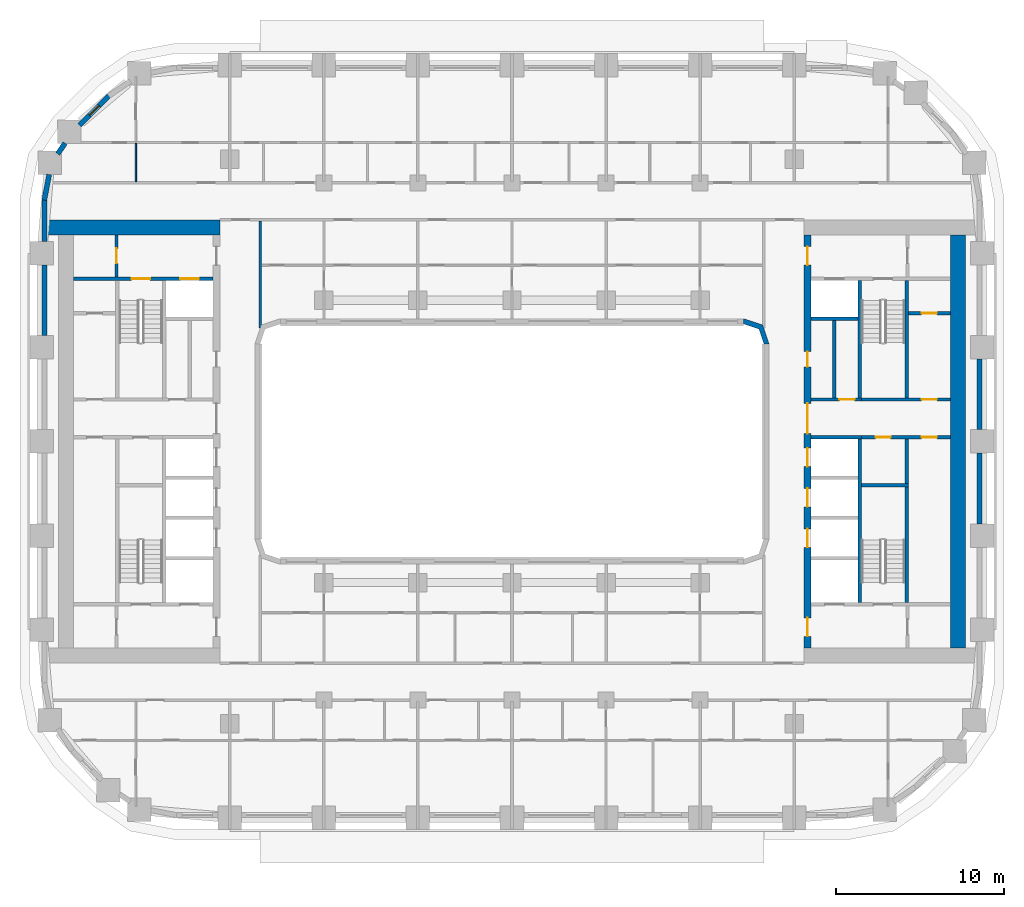
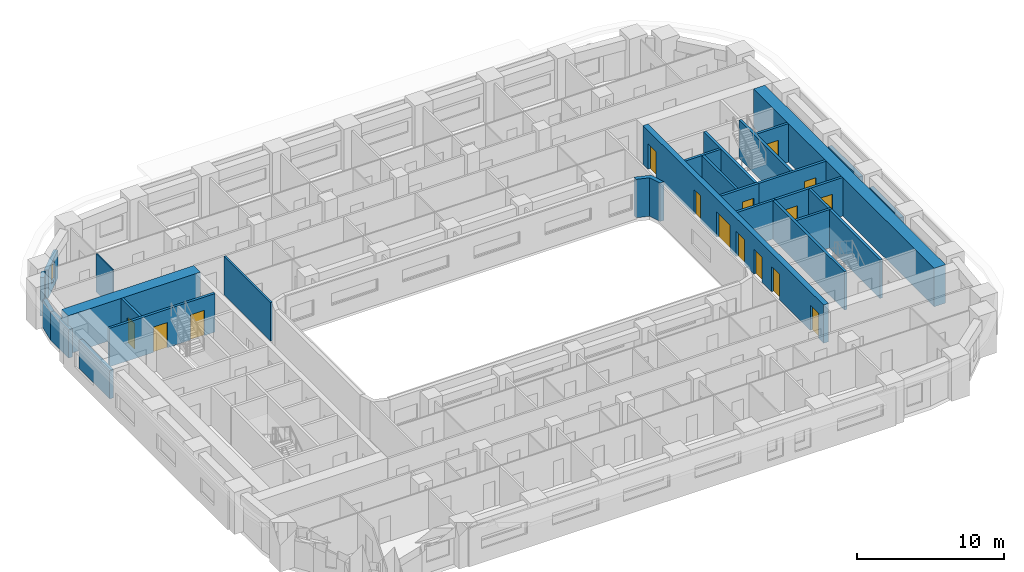
# One storey, part 7 of 22: 28 walls, 15 doors, 1 window, 16 openings.
"""IFC4 building model written with IfcOpenShell, lengths in metres."""

from ifc_helpers import new_model, si_unit, direction, frame, frame_2d, origin, place, context, subcontext, project, spatial, polyline, rectangle, outline, extrude, material, layer, layer_set, type_object, element, fill, save


model = new_model("IFC4")

# Units and contexts
model_context = context("Model", 3, precision=1e-05, world=origin(), true_north=direction((0.0, 1.0)))
body_context = subcontext(model_context, "Body", "Model", "MODEL_VIEW")
ifc_project = project(units=[si_unit("LENGTHUNIT", "METRE"), si_unit("AREAUNIT", "SQUARE_METRE"), si_unit("VOLUMEUNIT", "CUBIC_METRE"), si_unit("PLANEANGLEUNIT", "RADIAN"), si_unit("MASSUNIT", "GRAM", prefix="KILO")], contexts=[model_context])

# Site, building, storey
site_placement = place(None, origin())
site = spatial("IfcSite", under=ifc_project, at=site_placement, CompositionType="ELEMENT")
building_placement = place(site_placement, origin())
building = spatial("IfcBuilding", under=site, at=building_placement, Name="Kiln Ring Residences", CompositionType="ELEMENT")
storey_placement = place(building_placement, frame((0.0, 0.0, 62.0)))
storey = spatial("IfcBuildingStorey", under=building, at=storey_placement, Name="L15", CompositionType="ELEMENT", Elevation=62.0)

# Wall, opening, door
ifc_material_1 = material(Name="Gypsum board on steel studs", Category="steel")
ifc_layer_1 = layer(ifc_material_1, 0.199951171875)
ifc_layer_set_1 = layer_set([ifc_layer_1], Name="CORE-PARTITION-200")
wall_type_1 = type_object("IfcWallType", Name="CORE-PARTITION-200", PredefinedType="PARTITIONING", material=ifc_layer_set_1)
wall_1_placement = place(storey_placement, frame((-23.550048828125, 9.800048828125, 0.0), z_axis=(0.0, 0.0, 1.0), x_axis=(0.0, 1.0, 0.0)))
wall_1 = element("IfcWall", 1, at=wall_1_placement, inside=storey, type_object=wall_type_1, Name="Core partition west L15 4", PredefinedType="PARTITIONING", context=body_context, shape_type="SweptSolid", body=[
    extrude(rectangle(XDim=2.5, YDim=0.199951171875, at=frame_2d((1.25, 0.0))), origin(), (0.0, 0.0, 1.0), 3.199951171875),
])
opening_1_placement = place(wall_1_placement, frame((0.800048828125, 0.0, 0.0)))
opening_1 = element("IfcOpeningElement", 2, at=opening_1_placement, cuts=wall_1, Name="Opening L15-CW10", PredefinedType="OPENING", context=body_context, shape_type="SweptSolid", body=[
    extrude(rectangle(XDim=0.89990234375, YDim=2.10009765625, at=frame_2d((0.449951171875, 1.050048828125))), frame((0.0, 0.10986328125, 0.0), z_axis=(0.0, -1.0, 0.0), x_axis=(1.0, 0.0, 0.0)), (0.0, 0.0, 1.0), 0.219970703125),
])
ifc_material_2 = material(Name="Steel door leaf", Category="steel")
door_type_1 = type_object("IfcDoorType", Name="CORE-DOOR-ROOM", OperationType="SINGLE_SWING_LEFT", PredefinedType="DOOR", material=ifc_material_2)
door_1_placement = place(opening_1_placement, origin())
door_1 = element("IfcDoor", 3, at=door_1_placement, inside=storey, type_object=door_type_1, Name="Fire riser room L15-CW10", OperationType="SINGLE_SWING_RIGHT", OverallHeight=2.10009765625, OverallWidth=0.89990234375, PredefinedType="DOOR", context=body_context, shape_type="SweptSolid", body=[
    extrude(rectangle(XDim=0.89990234375, YDim=2.10009765625, at=frame_2d((0.449951171875, 1.050048828125))), frame((0.0, 0.02490234375, 0.0), z_axis=(0.0, -1.0, 0.0), x_axis=(1.0, 0.0, 0.0)), (0.0, 0.0, 1.0), 0.050048828125),
])
fill(opening_1, door_1)

# Wall
wall_2_placement = place(storey_placement, frame((23.5, -2.5, 0.0), z_axis=(0.0, 0.0, 1.0), x_axis=(0.0, 1.0, 0.0)))
element("IfcWall", 4, at=wall_2_placement, inside=storey, type_object=wall_type_1, Name="Core partition east L15 1", PredefinedType="PARTITIONING", context=body_context, shape_type="SweptSolid", body=[
    extrude(rectangle(XDim=2.64990234375, YDim=0.199951171875, at=frame_2d((1.324951171875, 0.0))), origin(), (0.0, 0.0, 1.0), 3.199951171875),
])

# Wall, openings, doors
wall_3_placement = place(storey_placement, frame((20.800048828125, 0.25, 0.0), z_axis=(0.0, 0.0, 1.0), x_axis=(1.0, 0.0, 0.0)))
wall_3 = element("IfcWall", 5, at=wall_3_placement, inside=storey, type_object=wall_type_1, Name="Core partition east L15 2", PredefinedType="PARTITIONING", context=body_context, shape_type="SweptSolid", body=[
    extrude(rectangle(XDim=5.300048828125, YDim=0.199951171875, at=frame_2d((2.64990234375, 0.0))), origin(), (0.0, 0.0, 1.0), 3.199951171875),
])
opening_2_placement = place(wall_3_placement, frame((0.85009765625, 0.0, 0.0)))
opening_2 = element("IfcOpeningElement", 6, at=opening_2_placement, cuts=wall_3, Name="Opening L15-CE15", PredefinedType="OPENING", context=body_context, shape_type="SweptSolid", body=[
    extrude(rectangle(XDim=0.89990234375, YDim=2.10009765625, at=frame_2d((0.449951171875, 1.050048828125))), frame((0.0, 0.10986328125, 0.0), z_axis=(0.0, -1.0, 0.0), x_axis=(1.0, 0.0, 0.0)), (0.0, 0.0, 1.0), 0.219970703125),
])
opening_3_placement = place(wall_3_placement, frame((3.60009765625, 0.0, 0.0)))
opening_3 = element("IfcOpeningElement", 7, at=opening_3_placement, cuts=wall_3, Name="Opening L15-CE16", PredefinedType="OPENING", context=body_context, shape_type="SweptSolid", body=[
    extrude(rectangle(XDim=0.89990234375, YDim=2.10009765625, at=frame_2d((0.449951171875, 1.050048828125))), frame((0.0, 0.10986328125, 0.0), z_axis=(0.0, -1.0, 0.0), x_axis=(1.0, 0.0, 0.0)), (0.0, 0.0, 1.0), 0.219970703125),
])
door_2_placement = place(opening_2_placement, origin())
door_2 = element("IfcDoor", 8, at=door_2_placement, inside=storey, type_object=door_type_1, Name="Refuse and recycling room L15-CE15", OperationType="SINGLE_SWING_RIGHT", OverallHeight=2.10009765625, OverallWidth=0.89990234375, PredefinedType="DOOR", context=body_context, shape_type="SweptSolid", body=[
    extrude(rectangle(XDim=0.89990234375, YDim=2.10009765625, at=frame_2d((0.449951171875, 1.050048828125))), frame((0.0, 0.02490234375, 0.0), z_axis=(0.0, -1.0, 0.0), x_axis=(1.0, 0.0, 0.0)), (0.0, 0.0, 1.0), 0.050048828125),
])
fill(opening_2, door_2)
door_3_placement = place(opening_3_placement, origin())
door_3 = element("IfcDoor", 9, at=door_3_placement, inside=storey, type_object=door_type_1, Name="Water tank room L15-CE16", OperationType="SINGLE_SWING_LEFT", OverallHeight=2.10009765625, OverallWidth=0.89990234375, PredefinedType="DOOR", context=body_context, shape_type="SweptSolid", body=[
    extrude(rectangle(XDim=0.89990234375, YDim=2.10009765625, at=frame_2d((0.449951171875, 1.050048828125))), frame((0.0, 0.02490234375, 0.0), z_axis=(0.0, -1.0, 0.0), x_axis=(1.0, 0.0, 0.0)), (0.0, 0.0, 1.0), 0.050048828125),
])
fill(opening_3, door_3)

# Wall
wall_4_placement = place(storey_placement, frame((19.199951171875, 2.60009765625, 0.0), z_axis=(0.0, 0.0, 1.0), x_axis=(0.0, 1.0, 0.0)))
element("IfcWall", 10, at=wall_4_placement, inside=storey, type_object=wall_type_1, Name="Core partition east L15 3", PredefinedType="PARTITIONING", context=body_context, shape_type="SweptSolid", body=[
    extrude(rectangle(XDim=4.599853515625, YDim=0.199951171875, at=frame_2d((2.2998046875, 0.0))), origin(), (0.0, 0.0, 1.0), 3.199951171875),
])

# Wall, opening, door
wall_5_placement = place(storey_placement, frame((23.60009765625, 7.639892578125, 0.0), z_axis=(0.0, 0.0, 1.0), x_axis=(1.0, 0.0, 0.0)))
wall_5 = element("IfcWall", 11, at=wall_5_placement, inside=storey, type_object=wall_type_1, Name="Core partition east L15 6", PredefinedType="PARTITIONING", context=body_context, shape_type="SweptSolid", body=[
    extrude(rectangle(XDim=2.5, YDim=0.199951171875, at=frame_2d((1.25, 0.0))), origin(), (0.0, 0.0, 1.0), 3.199951171875),
])
opening_4_placement = place(wall_5_placement, frame((0.800048828125, 0.0, 0.0)))
opening_4 = element("IfcOpeningElement", 12, at=opening_4_placement, cuts=wall_5, Name="Opening L15-CE17", PredefinedType="OPENING", context=body_context, shape_type="SweptSolid", body=[
    extrude(rectangle(XDim=0.89990234375, YDim=2.10009765625, at=frame_2d((0.449951171875, 1.050048828125))), frame((0.0, 0.10986328125, 0.0), z_axis=(0.0, -1.0, 0.0), x_axis=(1.0, 0.0, 0.0)), (0.0, 0.0, 1.0), 0.219970703125),
])
door_4_placement = place(opening_4_placement, origin())
door_4 = element("IfcDoor", 13, at=door_4_placement, inside=storey, type_object=door_type_1, Name="UPS room L15-CE17", OperationType="SINGLE_SWING_LEFT", OverallHeight=2.10009765625, OverallWidth=0.89990234375, PredefinedType="DOOR", context=body_context, shape_type="SweptSolid", body=[
    extrude(rectangle(XDim=0.89990234375, YDim=2.10009765625, at=frame_2d((0.449951171875, 1.050048828125))), frame((0.0, 0.02490234375, 0.0), z_axis=(0.0, -1.0, 0.0), x_axis=(1.0, 0.0, 0.0)), (0.0, 0.0, 1.0), 0.050048828125),
])
fill(opening_4, door_4)

# Wall
ifc_material_3 = material(Name="Gypsum shaft wall system")
ifc_layer_2 = layer(ifc_material_3, 0.199951171875)
ifc_layer_set_2 = layer_set([ifc_layer_2], Name="CORE-SHAFT-WALL-200")
wall_type_2 = type_object("IfcWallType", Name="CORE-SHAFT-WALL-200", PredefinedType="PARTITIONING", material=ifc_layer_set_2)
wall_6_placement = place(storey_placement, frame((17.800048828125, 0.25, 0.0), z_axis=(0.0, 0.0, 1.0), x_axis=(1.0, 0.0, 0.0)))
element("IfcWall", 14, at=wall_6_placement, inside=storey, type_object=wall_type_2, Name="Core partition east L15 10", PredefinedType="PARTITIONING", context=body_context, shape_type="SweptSolid", body=[
    extrude(rectangle(XDim=3.0, YDim=0.199951171875, at=frame_2d((1.5, 0.0))), origin(), (0.0, 0.0, 1.0), 3.199951171875),
])

# Wall, opening, door
wall_7_placement = place(storey_placement, frame((17.800048828125, 2.5, 0.0), z_axis=(0.0, 0.0, 1.0), x_axis=(1.0, 0.0, 0.0)))
wall_7 = element("IfcWall", 15, at=wall_7_placement, inside=storey, type_object=wall_type_2, Name="Core partition east L15 11", PredefinedType="PARTITIONING", context=body_context, shape_type="SweptSolid", body=[
    extrude(rectangle(XDim=3.0, YDim=0.199951171875, at=frame_2d((1.5, 0.0))), origin(), (0.0, 0.0, 1.0), 3.199951171875),
])
opening_5_placement = place(wall_7_placement, frame((1.699951171875, 0.0, 0.0)))
opening_5 = element("IfcOpeningElement", 16, at=opening_5_placement, cuts=wall_7, Name="Opening L15-CE06", PredefinedType="OPENING", context=body_context, shape_type="SweptSolid", body=[
    extrude(rectangle(XDim=0.89990234375, YDim=2.10009765625, at=frame_2d((0.449951171875, 1.050048828125))), frame((0.0, 0.10986328125, 0.0), z_axis=(0.0, -1.0, 0.0), x_axis=(1.0, 0.0, 0.0)), (0.0, 0.0, 1.0), 0.219970703125),
])
door_5_placement = place(opening_5_placement, origin())
door_5 = element("IfcDoor", 17, at=door_5_placement, inside=storey, type_object=door_type_1, Name="Service store L15-CE06", OperationType="SINGLE_SWING_RIGHT", OverallHeight=2.10009765625, OverallWidth=0.89990234375, PredefinedType="DOOR", context=body_context, shape_type="SweptSolid", body=[
    extrude(rectangle(XDim=0.89990234375, YDim=2.10009765625, at=frame_2d((0.449951171875, 1.050048828125))), frame((0.0, 0.02490234375, 0.0), z_axis=(0.0, -1.0, 0.0), x_axis=(1.0, 0.0, 0.0)), (0.0, 0.0, 1.0), 0.050048828125),
])
fill(opening_5, door_5)

# Wall
wall_8_placement = place(storey_placement, frame((17.800048828125, 7.300048828125, 0.0), z_axis=(0.0, 0.0, 1.0), x_axis=(1.0, 0.0, 0.0)))
element("IfcWall", 18, at=wall_8_placement, inside=storey, type_object=wall_type_2, Name="Core partition east L15 12", PredefinedType="PARTITIONING", context=body_context, shape_type="SweptSolid", body=[
    extrude(rectangle(XDim=2.800048828125, YDim=0.199951171875, at=frame_2d((1.39990234375, 0.0))), origin(), (0.0, 0.0, 1.0), 3.199951171875),
])

# Wall, openings, doors
ifc_material_4 = material(Name="Concrete C40/50", Category="concrete")
ifc_layer_3 = layer(ifc_material_4, 0.199951171875)
ifc_layer_set_3 = layer_set([ifc_layer_3], Name="CORE-WALL-RC200")
wall_type_3 = type_object("IfcWallType", Name="CORE-WALL-RC200", PredefinedType="SHEAR", material=ifc_layer_set_3)
wall_9_placement = place(storey_placement, frame((-17.800048828125, 9.699951171875, 0.0), z_axis=(0.0, 0.0, 1.0), x_axis=(-1.0, 0.0, 0.0)))
wall_9 = element("IfcWall", 19, at=wall_9_placement, inside=storey, type_object=wall_type_3, Name="Core wall west L15 9", PredefinedType="SHEAR", context=body_context, shape_type="SweptSolid", body=[
    extrude(rectangle(XDim=8.300048828125, YDim=0.199951171875, at=frame_2d((4.14990234375, 0.0))), origin(), (0.0, 0.0, 1.0), 3.199951171875),
])
opening_6_placement = place(wall_9_placement, frame((0.85009765625, 0.0, 0.0)))
opening_6 = element("IfcOpeningElement", 20, at=opening_6_placement, cuts=wall_9, Name="Opening L15-CW07", PredefinedType="OPENING", context=body_context, shape_type="SweptSolid", body=[
    extrude(rectangle(XDim=1.10009765625, YDim=2.10009765625, at=frame_2d((0.550048828125, 1.050048828125))), frame((0.0, 0.10986328125, 0.0), z_axis=(0.0, -1.0, 0.0), x_axis=(1.0, 0.0, 0.0)), (0.0, 0.0, 1.0), 0.219970703125),
])
opening_7_placement = place(wall_9_placement, frame((3.75, 0.0, 0.0)))
opening_7 = element("IfcOpeningElement", 21, at=opening_7_placement, cuts=wall_9, Name="Opening L15-CW12", PredefinedType="OPENING", context=body_context, shape_type="SweptSolid", body=[
    extrude(rectangle(XDim=1.10009765625, YDim=2.10009765625, at=frame_2d((0.550048828125, 1.050048828125))), frame((0.0, 0.10986328125, 0.0), z_axis=(0.0, -1.0, 0.0), x_axis=(1.0, 0.0, 0.0)), (0.0, 0.0, 1.0), 0.219970703125),
])
ifc_material_5 = material(Name="Steel door leaf", Category="steel")
door_type_2 = type_object("IfcDoorType", Name="CORE-DOOR-LD", OperationType="DOUBLE_DOOR_SLIDING", PredefinedType="DOOR", material=ifc_material_5)
door_6_placement = place(opening_6_placement, origin())
door_6 = element("IfcDoor", 22, at=door_6_placement, inside=storey, type_object=door_type_2, Name="LD W-FF L15-CW07", OperationType="DOUBLE_DOOR_SLIDING", OverallHeight=2.10009765625, OverallWidth=1.10009765625, PredefinedType="DOOR", context=body_context, shape_type="SweptSolid", body=[
    extrude(rectangle(XDim=1.10009765625, YDim=2.10009765625, at=frame_2d((0.550048828125, 1.050048828125))), frame((0.0, 0.02490234375, 0.0), z_axis=(0.0, -1.0, 0.0), x_axis=(1.0, 0.0, 0.0)), (0.0, 0.0, 1.0), 0.050048828125),
])
fill(opening_6, door_6)
ifc_material_6 = material(Name="Steel door leaf", Category="steel")
door_type_3 = type_object("IfcDoorType", Name="CORE-DOOR-STAIR", OperationType="SINGLE_SWING_LEFT", PredefinedType="DOOR", material=ifc_material_6)
door_7_placement = place(opening_7_placement, origin())
door_7 = element("IfcDoor", 23, at=door_7_placement, inside=storey, type_object=door_type_3, Name="Stair W-STN L15-CW12", OperationType="SINGLE_SWING_RIGHT", OverallHeight=2.10009765625, OverallWidth=1.10009765625, PredefinedType="DOOR", context=body_context, shape_type="SweptSolid", body=[
    extrude(rectangle(XDim=1.10009765625, YDim=2.10009765625, at=frame_2d((0.550048828125, 1.050048828125))), frame((0.0, 0.02490234375, 0.0), z_axis=(0.0, -1.0, 0.0), x_axis=(1.0, 0.0, 0.0)), (0.0, 0.0, 1.0), 0.050048828125),
])
fill(opening_7, door_7)

# Walls
wall_10_placement = place(storey_placement, frame((20.699951171875, 2.60009765625, 0.0), z_axis=(0.0, 0.0, 1.0), x_axis=(0.0, 1.0, 0.0)))
element("IfcWall", 24, at=wall_10_placement, inside=storey, type_object=wall_type_3, Name="Core wall east L15 1", PredefinedType="SHEAR", context=body_context, shape_type="SweptSolid", body=[
    extrude(rectangle(XDim=7.0, YDim=0.199951171875, at=frame_2d((3.5, 0.0))), origin(), (0.0, 0.0, 1.0), 3.199951171875),
])
wall_11_placement = place(storey_placement, frame((20.699951171875, -9.60009765625, 0.0), z_axis=(0.0, 0.0, 1.0), x_axis=(0.0, 1.0, 0.0)))
element("IfcWall", 25, at=wall_11_placement, inside=storey, type_object=wall_type_3, Name="Core wall east L15 2", PredefinedType="SHEAR", context=body_context, shape_type="SweptSolid", body=[
    extrude(rectangle(XDim=9.75, YDim=0.199951171875, at=frame_2d((4.875, 0.0))), origin(), (0.0, 0.0, 1.0), 3.199951171875),
])

# Wall, opening, door
wall_12_placement = place(storey_placement, frame((20.800048828125, 2.5, 0.0), z_axis=(0.0, 0.0, 1.0), x_axis=(1.0, 0.0, 0.0)))
wall_12 = element("IfcWall", 26, at=wall_12_placement, inside=storey, type_object=wall_type_3, Name="Core wall east L15 3", PredefinedType="SHEAR", context=body_context, shape_type="SweptSolid", body=[
    extrude(rectangle(XDim=5.300048828125, YDim=0.199951171875, at=frame_2d((2.64990234375, 0.0))), origin(), (0.0, 0.0, 1.0), 3.199951171875),
])
opening_8_placement = place(wall_12_placement, frame((3.60009765625, 0.0, 0.0)))
opening_8 = element("IfcOpeningElement", 27, at=opening_8_placement, cuts=wall_12, Name="Opening L15-CE18", PredefinedType="OPENING", context=body_context, shape_type="SweptSolid", body=[
    extrude(rectangle(XDim=0.89990234375, YDim=2.10009765625, at=frame_2d((0.449951171875, 1.050048828125))), frame((0.0, 0.10986328125, 0.0), z_axis=(0.0, -1.0, 0.0), x_axis=(1.0, 0.0, 0.0)), (0.0, 0.0, 1.0), 0.219970703125),
])
door_8_placement = place(opening_8_placement, origin())
door_8 = element("IfcDoor", 28, at=door_8_placement, inside=storey, type_object=door_type_1, Name="Electrical plant room L15-CE18", OperationType="SINGLE_SWING_RIGHT", OverallHeight=2.10009765625, OverallWidth=0.89990234375, PredefinedType="DOOR", context=body_context, shape_type="SweptSolid", body=[
    extrude(rectangle(XDim=0.89990234375, YDim=2.10009765625, at=frame_2d((0.449951171875, 1.050048828125))), frame((0.0, 0.02490234375, 0.0), z_axis=(0.0, -1.0, 0.0), x_axis=(1.0, 0.0, 0.0)), (0.0, 0.0, 1.0), 0.050048828125),
])
fill(opening_8, door_8)

# Walls
wall_13_placement = place(storey_placement, frame((23.5, 2.60009765625, 0.0), z_axis=(0.0, 0.0, 1.0), x_axis=(0.0, 1.0, 0.0)))
element("IfcWall", 29, at=wall_13_placement, inside=storey, type_object=wall_type_3, Name="Core wall east L15 10", PredefinedType="SHEAR", context=body_context, shape_type="SweptSolid", body=[
    extrude(rectangle(XDim=7.0, YDim=0.199951171875, at=frame_2d((3.5, 0.0))), origin(), (0.0, 0.0, 1.0), 3.199951171875),
])
wall_14_placement = place(storey_placement, frame((23.5, -9.60009765625, 0.0), z_axis=(0.0, 0.0, 1.0), x_axis=(0.0, 1.0, 0.0)))
element("IfcWall", 30, at=wall_14_placement, inside=storey, type_object=wall_type_3, Name="Core wall east L15 11", PredefinedType="SHEAR", context=body_context, shape_type="SweptSolid", body=[
    extrude(rectangle(XDim=6.900146484375, YDim=0.199951171875, at=frame_2d((3.4501953125, 0.0))), origin(), (0.0, 0.0, 1.0), 3.199951171875),
])
wall_15_placement = place(storey_placement, frame((20.800048828125, -2.60009765625, 0.0), z_axis=(0.0, 0.0, 1.0), x_axis=(1.0, 0.0, 0.0)))
element("IfcWall", 31, at=wall_15_placement, inside=storey, type_object=wall_type_3, Name="Core wall east L15 12", PredefinedType="SHEAR", context=body_context, shape_type="SweptSolid", body=[
    extrude(rectangle(XDim=2.800048828125, YDim=0.199951171875, at=frame_2d((1.39990234375, 0.0))), origin(), (0.0, 0.0, 1.0), 3.199951171875),
])

# Wall, openings, doors
ifc_material_7 = material(Name="Concrete C60/75", Category="concrete")
ifc_layer_4 = layer(ifc_material_7, 0.39990234375)
ifc_layer_set_4 = layer_set([ifc_layer_4], Name="CORE-WALL-RC400")
wall_type_4 = type_object("IfcWallType", Name="CORE-WALL-RC400", PredefinedType="SHEAR", material=ifc_layer_set_4)
wall_16_placement = place(storey_placement, frame((17.60009765625, -12.300048828125, 0.0), z_axis=(0.0, 0.0, 1.0), x_axis=(0.0, 1.0, 0.0)))
wall_16 = element("IfcWall", 32, at=wall_16_placement, inside=storey, type_object=wall_type_4, Name="Core wall east L15 6", PredefinedType="SHEAR", context=body_context, shape_type="SweptSolid", body=[
    extrude(rectangle(XDim=24.60009765625, YDim=0.39990234375, at=frame_2d((12.300048828125, 0.0))), origin(), (0.0, 0.0, 1.0), 3.199951171875),
])
opening_9_placement = place(wall_16_placement, frame((6.0, 0.0, 0.0)))
opening_9 = element("IfcOpeningElement", 33, at=opening_9_placement, cuts=wall_16, Name="Opening L15-CE02", PredefinedType="OPENING", context=body_context, shape_type="SweptSolid", body=[
    extrude(rectangle(XDim=1.10009765625, YDim=2.10009765625, at=frame_2d((0.550048828125, 1.050048828125))), frame((0.0, 0.2099609375, 0.0), z_axis=(0.0, -1.0, 0.0), x_axis=(1.0, 0.0, 0.0)), (0.0, 0.0, 1.0), 0.419921875),
])
opening_10_placement = place(wall_16_placement, frame((8.39990234375, 0.0, 0.0)))
opening_10 = element("IfcOpeningElement", 34, at=opening_10_placement, cuts=wall_16, Name="Opening L15-CE03", PredefinedType="OPENING", context=body_context, shape_type="SweptSolid", body=[
    extrude(rectangle(XDim=1.10009765625, YDim=2.10009765625, at=frame_2d((0.550048828125, 1.050048828125))), frame((0.0, 0.2099609375, 0.0), z_axis=(0.0, -1.0, 0.0), x_axis=(1.0, 0.0, 0.0)), (0.0, 0.0, 1.0), 0.419921875),
])
opening_11_placement = place(wall_16_placement, frame((10.800048828125, 0.0, 0.0)))
opening_11 = element("IfcOpeningElement", 35, at=opening_11_placement, cuts=wall_16, Name="Opening L15-CE04", PredefinedType="OPENING", context=body_context, shape_type="SweptSolid", body=[
    extrude(rectangle(XDim=1.10009765625, YDim=2.10009765625, at=frame_2d((0.550048828125, 1.050048828125))), frame((0.0, 0.2099609375, 0.0), z_axis=(0.0, -1.0, 0.0), x_axis=(1.0, 0.0, 0.0)), (0.0, 0.0, 1.0), 0.419921875),
])
opening_12_placement = place(wall_16_placement, frame((16.75, 0.0, 0.0)))
opening_12 = element("IfcOpeningElement", 36, at=opening_12_placement, cuts=wall_16, Name="Opening L15-CE05", PredefinedType="OPENING", context=body_context, shape_type="SweptSolid", body=[
    extrude(rectangle(XDim=0.89990234375, YDim=2.10009765625, at=frame_2d((0.449951171875, 1.050048828125))), frame((0.0, 0.2099609375, 0.0), z_axis=(0.0, -1.0, 0.0), x_axis=(1.0, 0.0, 0.0)), (0.0, 0.0, 1.0), 0.419921875),
])
opening_13_placement = place(wall_16_placement, frame((22.800048828125, 0.0, 0.0)))
opening_13 = element("IfcOpeningElement", 37, at=opening_13_placement, cuts=wall_16, Name="Opening L15-CE08", PredefinedType="OPENING", context=body_context, shape_type="SweptSolid", body=[
    extrude(rectangle(XDim=1.10009765625, YDim=2.10009765625, at=frame_2d((0.550048828125, 1.050048828125))), frame((0.0, 0.2099609375, 0.0), z_axis=(0.0, -1.0, 0.0), x_axis=(1.0, 0.0, 0.0)), (0.0, 0.0, 1.0), 0.419921875),
])
opening_14_placement = place(wall_16_placement, frame((0.699951171875, 0.0, 0.0)))
opening_14 = element("IfcOpeningElement", 38, at=opening_14_placement, cuts=wall_16, Name="Opening L15-CE09", PredefinedType="OPENING", context=body_context, shape_type="SweptSolid", body=[
    extrude(rectangle(XDim=1.10009765625, YDim=2.10009765625, at=frame_2d((0.550048828125, 1.050048828125))), frame((0.0, 0.2099609375, 0.0), z_axis=(0.0, -1.0, 0.0), x_axis=(1.0, 0.0, 0.0)), (0.0, 0.0, 1.0), 0.419921875),
])
opening_15_placement = place(wall_16_placement, frame((12.77490234375, 0.0, 0.0)))
opening_15 = element("IfcOpeningElement", 39, at=opening_15_placement, cuts=wall_16, Name="Opening L15-CE14", PredefinedType="OPENING", context=body_context, shape_type="SweptSolid", body=[
    extrude(rectangle(XDim=1.800048828125, YDim=2.10009765625, at=frame_2d((0.89990234375, 1.050048828125))), frame((0.0, 0.2099609375, 0.0), z_axis=(0.0, -1.0, 0.0), x_axis=(1.0, 0.0, 0.0)), (0.0, 0.0, 1.0), 0.419921875),
])
door_9_placement = place(opening_9_placement, origin())
door_9 = element("IfcDoor", 40, at=door_9_placement, inside=storey, type_object=door_type_2, Name="LD E-L1 L15-CE02", OperationType="DOUBLE_DOOR_SLIDING", OverallHeight=2.10009765625, OverallWidth=1.10009765625, PredefinedType="DOOR", context=body_context, shape_type="SweptSolid", body=[
    extrude(rectangle(XDim=1.10009765625, YDim=2.10009765625, at=frame_2d((0.550048828125, 1.050048828125))), frame((0.0, 0.02490234375, 0.0), z_axis=(0.0, -1.0, 0.0), x_axis=(1.0, 0.0, 0.0)), (0.0, 0.0, 1.0), 0.050048828125),
])
fill(opening_9, door_9)
door_10_placement = place(opening_10_placement, origin())
door_10 = element("IfcDoor", 41, at=door_10_placement, inside=storey, type_object=door_type_2, Name="LD E-L2 L15-CE03", OperationType="DOUBLE_DOOR_SLIDING", OverallHeight=2.10009765625, OverallWidth=1.10009765625, PredefinedType="DOOR", context=body_context, shape_type="SweptSolid", body=[
    extrude(rectangle(XDim=1.10009765625, YDim=2.10009765625, at=frame_2d((0.550048828125, 1.050048828125))), frame((0.0, 0.02490234375, 0.0), z_axis=(0.0, -1.0, 0.0), x_axis=(1.0, 0.0, 0.0)), (0.0, 0.0, 1.0), 0.050048828125),
])
fill(opening_10, door_10)
door_11_placement = place(opening_11_placement, origin())
door_11 = element("IfcDoor", 42, at=door_11_placement, inside=storey, type_object=door_type_2, Name="LD E-L3 L15-CE04", OperationType="DOUBLE_DOOR_SLIDING", OverallHeight=2.10009765625, OverallWidth=1.10009765625, PredefinedType="DOOR", context=body_context, shape_type="SweptSolid", body=[
    extrude(rectangle(XDim=1.10009765625, YDim=2.10009765625, at=frame_2d((0.550048828125, 1.050048828125))), frame((0.0, 0.02490234375, 0.0), z_axis=(0.0, -1.0, 0.0), x_axis=(1.0, 0.0, 0.0)), (0.0, 0.0, 1.0), 0.050048828125),
])
fill(opening_11, door_11)
ifc_material_8 = material(Name="Steel door leaf", Category="steel")
door_type_4 = type_object("IfcDoorType", Name="CORE-DOOR-LOBBY", OperationType="SINGLE_SWING_LEFT", PredefinedType="DOOR", material=ifc_material_8)
door_12_placement = place(opening_13_placement, origin())
door_12 = element("IfcDoor", 43, at=door_12_placement, inside=storey, type_object=door_type_4, Name="FFL L15-CE08", OperationType="SINGLE_SWING_RIGHT", OverallHeight=2.10009765625, OverallWidth=1.10009765625, PredefinedType="DOOR", context=body_context, shape_type="SweptSolid", body=[
    extrude(rectangle(XDim=1.10009765625, YDim=2.10009765625, at=frame_2d((0.550048828125, 1.050048828125))), frame((0.0, 0.02490234375, 0.0), z_axis=(0.0, -1.0, 0.0), x_axis=(1.0, 0.0, 0.0)), (0.0, 0.0, 1.0), 0.050048828125),
])
fill(opening_13, door_12)
door_13_placement = place(opening_14_placement, origin())
door_13 = element("IfcDoor", 44, at=door_13_placement, inside=storey, type_object=door_type_4, Name="SVL L15-CE09", OperationType="SINGLE_SWING_LEFT", OverallHeight=2.10009765625, OverallWidth=1.10009765625, PredefinedType="DOOR", context=body_context, shape_type="SweptSolid", body=[
    extrude(rectangle(XDim=1.10009765625, YDim=2.10009765625, at=frame_2d((0.550048828125, 1.050048828125))), frame((0.0, 0.02490234375, 0.0), z_axis=(0.0, -1.0, 0.0), x_axis=(1.0, 0.0, 0.0)), (0.0, 0.0, 1.0), 0.050048828125),
])
fill(opening_14, door_13)
ifc_material_9 = material(Name="Steel door leaf", Category="steel")
door_type_5 = type_object("IfcDoorType", Name="CORE-DOOR-PASS", OperationType="DOUBLE_DOOR_SINGLE_SWING", PredefinedType="DOOR", material=ifc_material_9)
door_14_placement = place(opening_15_placement, origin())
door_14 = element("IfcDoor", 45, at=door_14_placement, inside=storey, type_object=door_type_5, Name="Core passage L15-CE14", OperationType="DOUBLE_DOOR_SINGLE_SWING", OverallHeight=2.10009765625, OverallWidth=1.800048828125, PredefinedType="DOOR", context=body_context, shape_type="SweptSolid", body=[
    extrude(rectangle(XDim=1.800048828125, YDim=2.10009765625, at=frame_2d((0.89990234375, 1.050048828125))), frame((0.0, 0.02490234375, 0.0), z_axis=(0.0, -1.0, 0.0), x_axis=(1.0, 0.0, 0.0)), (0.0, 0.0, 1.0), 0.050048828125),
])
fill(opening_15, door_14)
door_15_placement = place(opening_12_placement, origin())
door_15 = element("IfcDoor", 46, at=door_15_placement, inside=storey, type_object=door_type_1, Name="Linen store L15-CE05", OperationType="SINGLE_SWING_RIGHT", OverallHeight=2.10009765625, OverallWidth=0.89990234375, PredefinedType="DOOR", context=body_context, shape_type="SweptSolid", body=[
    extrude(rectangle(XDim=0.89990234375, YDim=2.10009765625, at=frame_2d((0.449951171875, 1.050048828125))), frame((0.0, 0.02490234375, 0.0), z_axis=(0.0, -1.0, 0.0), x_axis=(1.0, 0.0, 0.0)), (0.0, 0.0, 1.0), 0.050048828125),
])
fill(opening_12, door_15)

# Walls
ifc_material_10 = material(Name="Concrete C60/75", Category="concrete")
ifc_layer_5 = layer(ifc_material_10, 0.89990234375)
ifc_layer_set_5 = layer_set([ifc_layer_5], Name="CORE-WALL-RC900")
wall_type_5 = type_object("IfcWallType", Name="CORE-WALL-RC900", PredefinedType="SHEAR", material=ifc_layer_set_5)
wall_17_placement = place(storey_placement, frame((-17.39990234375, 12.75, 0.0), z_axis=(0.0, 0.0, 1.0), x_axis=(-1.0, 0.0, 0.0)))
element("IfcWall", 47, at=wall_17_placement, inside=storey, type_object=wall_type_5, Name="Core wall west L15 4", PredefinedType="SHEAR", context=body_context, shape_type="SweptSolid", body=[
    extrude(rectangle(XDim=10.400146484375, YDim=0.89990234375, at=frame_2d((5.2001953125, 0.0))), origin(), (0.0, 0.0, 1.0), 3.199951171875),
])
wall_18_placement = place(storey_placement, frame((26.550048828125, -12.300048828125, 0.0), z_axis=(0.0, 0.0, 1.0), x_axis=(0.0, 1.0, 0.0)))
element("IfcWall", 48, at=wall_18_placement, inside=storey, type_object=wall_type_5, Name="Core wall east L15 7", PredefinedType="SHEAR", context=body_context, shape_type="SweptSolid", body=[
    extrude(rectangle(XDim=24.60009765625, YDim=0.89990234375, at=frame_2d((12.300048828125, 0.0))), origin(), (0.0, 0.0, 1.0), 3.199951171875),
])
ifc_material_11 = material(Name="Brick masonry, dark clay brick", Category="masonry")
ifc_layer_6 = layer(ifc_material_11, 0.300048828125)
ifc_layer_set_6 = layer_set([ifc_layer_6], Name="EW-300 BRICK WALL")
wall_type_6 = type_object("IfcWallType", Name="EW-300 BRICK WALL", PredefinedType="SOLIDWALL", material=ifc_layer_set_6)
for number, where, z_axis, x_axis, name in (
    (49, (27.85009765625, -4.89990234375, 0.0), (0.0, 0.0, 1.0), (0.0, 1.0, 0.0), "Facade wall L15 19"),
    (50, (27.85009765625, 0.699951171875, 0.0), (0.0, 0.0, 1.0), (0.0, 1.0, 0.0), "Facade wall L15 20"),
):
    element("IfcWall", number, at=place(storey_placement, frame(where, z_axis=z_axis, x_axis=x_axis)), inside=storey, type_object=wall_type_6, Name=name, PredefinedType="SOLIDWALL", context=body_context, shape_type="SweptSolid", body=[
        extrude(rectangle(XDim=4.199951171875, YDim=0.300048828125, at=frame_2d((2.10009765625, 0.0))), origin(), (0.0, 0.0, 1.0), 2.35009765625),
    ])

# Wall, opening, window
wall_19_placement = place(storey_placement, frame((-23.990966796875, 20.596923828125, 0.0), z_axis=(0.0, 0.0, 1.0), x_axis=(-0.707106781187, -0.707106781187, 0.0)))
wall_19 = element("IfcWall", 51, at=wall_19_placement, inside=storey, type_object=wall_type_6, Name="Facade wall L15 38", PredefinedType="SOLIDWALL", context=body_context, shape_type="SweptSolid", body=[
    extrude(rectangle(XDim=2.5, YDim=0.300048828125, at=frame_2d((1.25, 0.0))), origin(), (0.0, 0.0, 1.0), 2.35009765625),
])
opening_16_placement = place(wall_19_placement, frame((0.85009765625, 0.0, 0.60009765625)))
opening_16 = element("IfcOpeningElement", 52, at=opening_16_placement, cuts=wall_19, Name="Opening W5", PredefinedType="OPENING", context=body_context, shape_type="SweptSolid", body=[
    extrude(rectangle(XDim=0.800048828125, YDim=1.550048828125, at=frame_2d((0.39990234375, 0.77490234375))), frame((0.0, 0.159912109375, 0.0), z_axis=(0.0, -1.0, 0.0), x_axis=(1.0, 0.0, 0.0)), (0.0, 0.0, 1.0), 0.320068359375),
])
ifc_material_12 = material(Name="Aluminium frame with double glazing", Category="aluminium")
window_type = type_object("IfcWindowType", Name="WINDOW 800 x 1550", PartitioningType="SINGLE_PANEL", PredefinedType="WINDOW", material=ifc_material_12)
window_placement = place(opening_16_placement, origin())
window = element("IfcWindow", 53, at=window_placement, inside=storey, type_object=window_type, Name="Window L15 21", OverallHeight=1.550048828125, OverallWidth=0.800048828125, PartitioningType="SINGLE_PANEL", PredefinedType="WINDOW", context=body_context, shape_type="SweptSolid", body=[
    extrude(rectangle(XDim=0.800048828125, YDim=1.550048828125, at=frame_2d((0.39990234375, 0.77490234375))), frame((0.0, 0.030029296875, 0.0), z_axis=(0.0, -1.0, 0.0), x_axis=(1.0, 0.0, 0.0)), (0.0, 0.0, 1.0), 0.06005859375),
])
fill(opening_16, window)

# Walls
wall_20_placement = place(storey_placement, frame((-26.61669921875, 17.7685546875, 0.0), z_axis=(0.0, 0.0, 1.0), x_axis=(-0.562000651531, -0.827136788977, 0.0)))
element("IfcWall", 54, at=wall_20_placement, inside=storey, type_object=wall_type_6, Name="Facade wall L15 39", PredefinedType="SOLIDWALL", context=body_context, shape_type="SweptSolid", body=[
    extrude(rectangle(XDim=0.777099609375, YDim=0.300048828125, at=frame_2d((0.388671875, 0.0))), origin(), (0.0, 0.0, 1.0), 3.199951171875),
])
wall_21_placement = place(storey_placement, frame((-27.56103515625, 15.900390625, 0.0), z_axis=(0.0, 0.0, 1.0), x_axis=(-0.187328386968, -0.982297345734, 0.0)))
element("IfcWall", 55, at=wall_21_placement, inside=storey, type_object=wall_type_6, Name="Facade wall L15 40", PredefinedType="SOLIDWALL", context=body_context, shape_type="SweptSolid", body=[
    extrude(rectangle(XDim=1.55615234375, YDim=0.300048828125, at=frame_2d((0.778076171875, 0.0))), origin(), (0.0, 0.0, 1.0), 2.35009765625),
])
wall_22_placement = place(storey_placement, frame((-27.85009765625, 14.39990234375, 0.0), z_axis=(0.0, 0.0, 1.0), x_axis=(0.0, -1.0, 0.0)))
element("IfcWall", 56, at=wall_22_placement, inside=storey, type_object=wall_type_6, Name="Facade wall L15 41", PredefinedType="SOLIDWALL", context=body_context, shape_type="SweptSolid", body=[
    extrude(rectangle(XDim=2.5, YDim=0.300048828125, at=frame_2d((1.25, 0.0))), origin(), (0.0, 0.0, 1.0), 2.35009765625),
])
wall_23_placement = place(storey_placement, frame((-27.85009765625, 10.5, 0.0), z_axis=(0.0, 0.0, 1.0), x_axis=(0.0, -1.0, 0.0)))
element("IfcWall", 57, at=wall_23_placement, inside=storey, type_object=wall_type_6, Name="Facade wall L15 42", PredefinedType="SOLIDWALL", context=body_context, shape_type="SweptSolid", body=[
    extrude(rectangle(XDim=4.199951171875, YDim=0.300048828125, at=frame_2d((2.10009765625, 0.0))), origin(), (0.0, 0.0, 1.0), 2.35009765625),
])
wall_24_placement = place(storey_placement, origin())
element("IfcWall", 58, at=wall_24_placement, inside=storey, type_object=wall_type_6, Name="Corner wall L15 2", PredefinedType="SOLIDWALL", context=body_context, shape_type="SweptSolid", body=[
    extrude(outline(polyline([(14.937255859375, 6.937255859375), (13.8486328125, 7.300048828125), (13.800048828125, 7.300048828125), (13.800048828125, 7.0), (14.699951171875, 6.699951171875), (15.0, 5.800048828125), (15.300048828125, 5.800048828125), (15.300048828125, 5.8486328125), (14.937255859375, 6.937255859375)])), origin(), (0.0, 0.0, 1.0), 3.199951171875),
])
ifc_material_13 = material(Name="Gypsum board on steel studs", Category="steel")
ifc_layer_7 = layer(ifc_material_13, 0.10009765625)
ifc_layer_set_7 = layer_set([ifc_layer_7], Name="PARTITION-100")
wall_type_7 = type_object("IfcWallType", Name="PARTITION-100", PredefinedType="PARTITIONING", material=ifc_layer_set_7)
wall_25_placement = place(storey_placement, frame((-22.39990234375, 15.47509765625, 0.0), z_axis=(0.0, 0.0, 1.0), x_axis=(0.0, 1.0, 0.0)))
element("IfcWall", 59, at=wall_25_placement, inside=storey, type_object=wall_type_7, Name="Partition 010", PredefinedType="PARTITIONING", context=body_context, shape_type="SweptSolid", body=[
    extrude(rectangle(XDim=2.27490234375, YDim=0.10009765625, at=frame_2d((1.137451171875, 0.0))), origin(), (0.0, 0.0, 1.0), 3.199951171875),
])
ifc_material_14 = material(Name="Brick masonry partition", Category="masonry")
ifc_layer_8 = layer(ifc_material_14, 0.14990234375)
ifc_layer_set_8 = layer_set([ifc_layer_8], Name="PARTITION-150-ei60")
wall_type_8 = type_object("IfcWallType", Name="PARTITION-150-ei60", PredefinedType="PARTITIONING", material=ifc_layer_set_8)
wall_26_placement = place(storey_placement, frame((-15.0, 6.768798828125, 0.0), z_axis=(0.0, 0.0, 1.0), x_axis=(0.0, 1.0, 0.0)))
element("IfcWall", 60, at=wall_26_placement, inside=storey, type_object=wall_type_8, Name="Partition 017", PredefinedType="PARTITIONING", context=body_context, shape_type="SweptSolid", body=[
    extrude(rectangle(XDim=6.356201171875, YDim=0.14990234375, at=frame_2d((3.17822265625, 0.0))), origin(), (0.0, 0.0, 1.0), 3.199951171875),
])

save(model, "model.ifc")
